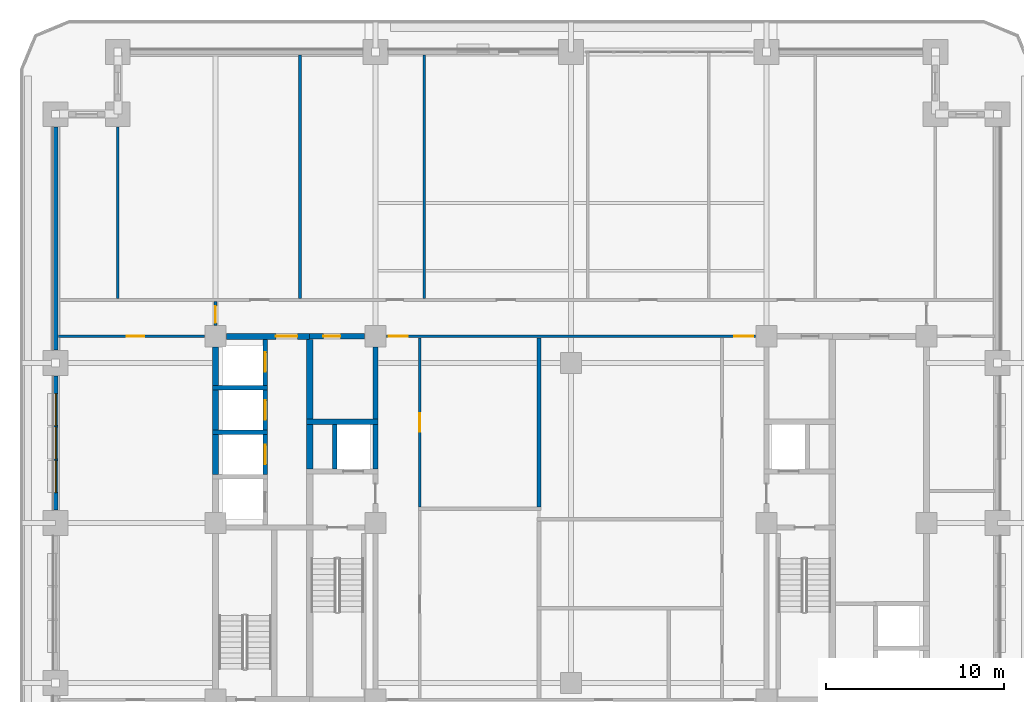
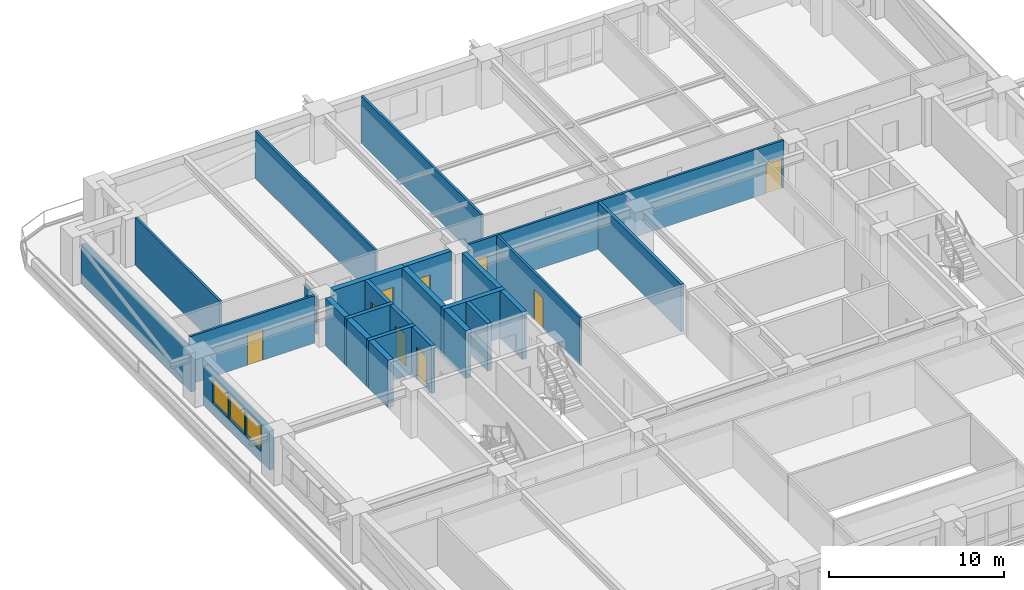
# One storey, part 10 of 20: 26 walls, 10 doors, 3 windows, 13 openings.
"""IFC4 building model written with IfcOpenShell, lengths in metres."""

from ifc_helpers import new_model, si_unit, direction, frame, frame_2d, origin, place, context, subcontext, project, spatial, rectangle, extrude, material, layer, layer_set, type_object, element, fill, save


model = new_model("IFC4")

# Units and contexts
model_context = context("Model", 3, precision=1e-05, world=origin(), true_north=direction((0.0, 1.0)))
body_context = subcontext(model_context, "Body", "Model", "MODEL_VIEW")
ifc_project = project(units=[si_unit("LENGTHUNIT", "METRE"), si_unit("AREAUNIT", "SQUARE_METRE"), si_unit("VOLUMEUNIT", "CUBIC_METRE"), si_unit("PLANEANGLEUNIT", "RADIAN"), si_unit("MASSUNIT", "GRAM", prefix="KILO")], contexts=[model_context])

# Site, building, storey
site_placement = place(None, origin())
site = spatial("IfcSite", under=ifc_project, at=site_placement, CompositionType="ELEMENT")
building_placement = place(site_placement, origin())
building = spatial("IfcBuilding", under=site, at=building_placement, Name="Zulmaris Gate Convention Tower", CompositionType="ELEMENT")
storey_placement = place(building_placement, frame((0.0, 0.0, 75.0400390625)))
storey = spatial("IfcBuildingStorey", under=building, at=storey_placement, Name="L18", CompositionType="ELEMENT", Elevation=75.0400390625)

# Walls
ifc_material_1 = material(Name="Concrete C50/60", Category="concrete")
ifc_layer_1 = layer(ifc_material_1, 0.25, Name="Concrete C50/60")
ifc_layer_set_1 = layer_set([ifc_layer_1], Name="Concrete C50/60")
wall_type_1 = type_object("IfcWallType", Name="CORE-250", PredefinedType="SOLIDWALL", material=ifc_layer_set_1)
for number, where, z_axis, x_axis, name in (
    (1, (-20.175048828125, 5.10009765625, 0.0), (0.0, 0.0, 1.0), (1.0, 0.0, 0.0), "WL-L18-012"),
    (2, (-20.175048828125, 7.60009765625, 0.0), (0.0, 0.0, 1.0), (1.0, 0.0, 0.0), "WL-L18-015"),
):
    element("IfcWall", number, at=place(storey_placement, frame(where, z_axis=z_axis, x_axis=x_axis)), inside=storey, type_object=wall_type_1, Name=name, PredefinedType="SOLIDWALL", context=body_context, shape_type="SweptSolid", body=[
        extrude(rectangle(XDim=3.10009765625, YDim=0.25, at=frame_2d((1.550048828125, 0.0))), origin(), (0.0, 0.0, 1.0), 3.31982421875),
    ])

# Wall, opening, door
wall_1_placement = place(storey_placement, frame((-17.199951171875, 2.72705078125, 0.0), z_axis=(0.0, 0.0, 1.0), x_axis=(0.0, 1.0, 0.0)))
wall_1 = element("IfcWall", 3, at=wall_1_placement, inside=storey, type_object=wall_type_1, Name="WL-L18-041", PredefinedType="SOLIDWALL", context=body_context, shape_type="SweptSolid", body=[
    extrude(rectangle(XDim=2.245849609375, YDim=0.25, at=frame_2d((1.123046875, 0.0))), origin(), (0.0, 0.0, 1.0), 3.31982421875),
])
opening_1_placement = place(wall_1_placement, frame((0.572998046875, 0.0, 0.0)))
opening_1 = element("IfcOpeningElement", 4, at=opening_1_placement, cuts=wall_1, Name="Opening D-06", PredefinedType="OPENING", context=body_context, shape_type="SweptSolid", body=[
    extrude(rectangle(XDim=1.10009765625, YDim=2.199951171875, at=frame_2d((0.550048828125, 1.10009765625))), frame((0.0, 0.135009765625, 0.0), z_axis=(0.0, -1.0, 0.0), x_axis=(1.0, 0.0, 0.0)), (0.0, 0.0, 1.0), 0.27001953125),
])
ifc_material_2 = material(Name="Brushed Stainless Steel", Category="steel")
door_type_1 = type_object("IfcDoorType", Name="LD-1100", OperationType="NOTDEFINED", PredefinedType="DOOR", material=ifc_material_2)
door_1_placement = place(opening_1_placement, origin())
door_1 = element("IfcDoor", 5, at=door_1_placement, inside=storey, type_object=door_type_1, Name="L18 Lift Landing Door LP-02 12", OperationType="SLIDING_TO_LEFT", OverallHeight=2.199951171875, OverallWidth=1.10009765625, PredefinedType="DOOR", context=body_context, shape_type="SweptSolid", body=[
    extrude(rectangle(XDim=1.10009765625, YDim=2.199951171875, at=frame_2d((0.550048828125, 1.10009765625))), frame((0.0, 0.02490234375, 0.0), z_axis=(0.0, -1.0, 0.0), x_axis=(1.0, 0.0, 0.0)), (0.0, 0.0, 1.0), 0.050048828125),
])
fill(opening_1, door_1)

wall_2_placement = place(storey_placement, frame((-17.199951171875, 5.22705078125, 0.0), z_axis=(0.0, 0.0, 1.0), x_axis=(0.0, 1.0, 0.0)))
wall_2 = element("IfcWall", 6, at=wall_2_placement, inside=storey, type_object=wall_type_1, Name="WL-L18-042", PredefinedType="SOLIDWALL", context=body_context, shape_type="SweptSolid", body=[
    extrude(rectangle(XDim=2.245849609375, YDim=0.25, at=frame_2d((1.123046875, 0.0))), origin(), (0.0, 0.0, 1.0), 3.31982421875),
])
opening_2_placement = place(wall_2_placement, frame((0.572998046875, 0.0, 0.0)))
opening_2 = element("IfcOpeningElement", 7, at=opening_2_placement, cuts=wall_2, Name="Opening D-06", PredefinedType="OPENING", context=body_context, shape_type="SweptSolid", body=[
    extrude(rectangle(XDim=1.10009765625, YDim=2.199951171875, at=frame_2d((0.550048828125, 1.10009765625))), frame((0.0, 0.135009765625, 0.0), z_axis=(0.0, -1.0, 0.0), x_axis=(1.0, 0.0, 0.0)), (0.0, 0.0, 1.0), 0.27001953125),
])
door_2_placement = place(opening_2_placement, origin())
door_2 = element("IfcDoor", 8, at=door_2_placement, inside=storey, type_object=door_type_1, Name="L18 Lift Landing Door LP-03 13", OperationType="SLIDING_TO_LEFT", OverallHeight=2.199951171875, OverallWidth=1.10009765625, PredefinedType="DOOR", context=body_context, shape_type="SweptSolid", body=[
    extrude(rectangle(XDim=1.10009765625, YDim=2.199951171875, at=frame_2d((0.550048828125, 1.10009765625))), frame((0.0, 0.02490234375, 0.0), z_axis=(0.0, -1.0, 0.0), x_axis=(1.0, 0.0, 0.0)), (0.0, 0.0, 1.0), 0.050048828125),
])
fill(opening_2, door_2)

wall_3_placement = place(storey_placement, frame((-17.199951171875, 7.72705078125, 0.0), z_axis=(0.0, 0.0, 1.0), x_axis=(0.0, 1.0, 0.0)))
wall_3 = element("IfcWall", 9, at=wall_3_placement, inside=storey, type_object=wall_type_1, Name="WL-L18-043", PredefinedType="SOLIDWALL", context=body_context, shape_type="SweptSolid", body=[
    extrude(rectangle(XDim=2.595947265625, YDim=0.25, at=frame_2d((1.2978515625, 0.0))), origin(), (0.0, 0.0, 1.0), 3.31982421875),
])
opening_3_placement = place(wall_3_placement, frame((0.77294921875, 0.0, 0.0)))
opening_3 = element("IfcOpeningElement", 10, at=opening_3_placement, cuts=wall_3, Name="Opening D-06", PredefinedType="OPENING", context=body_context, shape_type="SweptSolid", body=[
    extrude(rectangle(XDim=1.10009765625, YDim=2.199951171875, at=frame_2d((0.550048828125, 1.10009765625))), frame((0.0, 0.135009765625, 0.0), z_axis=(0.0, -1.0, 0.0), x_axis=(1.0, 0.0, 0.0)), (0.0, 0.0, 1.0), 0.27001953125),
])
door_3_placement = place(opening_3_placement, origin())
door_3 = element("IfcDoor", 11, at=door_3_placement, inside=storey, type_object=door_type_1, Name="L18 Lift Landing Door LP-04 14", OperationType="SLIDING_TO_LEFT", OverallHeight=2.199951171875, OverallWidth=1.10009765625, PredefinedType="DOOR", context=body_context, shape_type="SweptSolid", body=[
    extrude(rectangle(XDim=1.10009765625, YDim=2.199951171875, at=frame_2d((0.550048828125, 1.10009765625))), frame((0.0, 0.02490234375, 0.0), z_axis=(0.0, -1.0, 0.0), x_axis=(1.0, 0.0, 0.0)), (0.0, 0.0, 1.0), 0.050048828125),
])
fill(opening_3, door_3)

# Walls
wall_4_placement = place(storey_placement, frame((-13.300048828125, 3.052001953125, 0.0), z_axis=(0.0, 0.0, 1.0), x_axis=(0.0, 1.0, 0.0)))
element("IfcWall", 12, at=wall_4_placement, inside=storey, type_object=wall_type_1, Name="WL-L18-049", PredefinedType="SOLIDWALL", context=body_context, shape_type="SweptSolid", body=[
    extrude(rectangle(XDim=2.49609375, YDim=0.25, at=frame_2d((1.248046875, 0.0))), origin(), (0.0, 0.0, 1.0), 3.31982421875),
])
ifc_layer_2 = layer(ifc_material_1, 0.300048828125, Name="Concrete C50/60")
ifc_layer_set_2 = layer_set([ifc_layer_2], Name="Concrete C50/60")
wall_type_2 = type_object("IfcWallType", Name="CORE-300", PredefinedType="SHEAR", material=ifc_layer_set_2)
wall_5_placement = place(storey_placement, frame((-14.875, 5.699951171875, 0.0), z_axis=(0.0, 0.0, 1.0), x_axis=(1.0, 0.0, 0.0)))
element("IfcWall", 13, at=wall_5_placement, inside=storey, type_object=wall_type_2, Name="WL-L18-013", PredefinedType="SHEAR", context=body_context, shape_type="SweptSolid", body=[
    extrude(rectangle(XDim=4.02490234375, YDim=0.300048828125, at=frame_2d((2.012451171875, 0.0))), origin(), (0.0, 0.0, 1.0), 3.31982421875),
])

# Wall, opening, door
wall_6_placement = place(storey_placement, frame((-14.699951171875, 10.5, 0.0), z_axis=(0.0, 0.0, 1.0), x_axis=(1.0, 0.0, 0.0)))
wall_6 = element("IfcWall", 14, at=wall_6_placement, inside=storey, type_object=wall_type_2, Name="WL-L18-017", PredefinedType="SHEAR", context=body_context, shape_type="SweptSolid", body=[
    extrude(rectangle(XDim=3.095947265625, YDim=0.300048828125, at=frame_2d((1.5478515625, 0.0))), origin(), (0.0, 0.0, 1.0), 3.31982421875),
])
opening_4_placement = place(wall_6_placement, frame((0.77490234375, 0.0, 0.0)))
opening_4 = element("IfcOpeningElement", 15, at=opening_4_placement, cuts=wall_6, Name="Opening D-11", PredefinedType="OPENING", context=body_context, shape_type="SweptSolid", body=[
    extrude(rectangle(XDim=0.949951171875, YDim=2.14990234375, at=frame_2d((0.47509765625, 1.074951171875))), frame((0.0, 0.16015625, 0.0), z_axis=(0.0, -1.0, 0.0), x_axis=(1.0, 0.0, 0.0)), (0.0, 0.0, 1.0), 0.320068359375),
])
ifc_material_3 = material(Name="Fire-Rated Timber", Category="wood")
door_type_2 = type_object("IfcDoorType", Name="DR-950-FD", OperationType="NOTDEFINED", PredefinedType="DOOR", material=ifc_material_3)
door_4_placement = place(opening_4_placement, origin())
door_4 = element("IfcDoor", 16, at=door_4_placement, inside=storey, type_object=door_type_2, Name="L18 Core Pantry Door 07", OperationType="SINGLE_SWING_LEFT", OverallHeight=2.14990234375, OverallWidth=0.949951171875, PredefinedType="DOOR", context=body_context, shape_type="SweptSolid", body=[
    extrude(rectangle(XDim=0.949951171875, YDim=2.14990234375, at=frame_2d((0.47509765625, 1.074951171875))), frame((0.0, 0.02490234375, 0.0), z_axis=(0.0, -1.0, 0.0), x_axis=(1.0, 0.0, 0.0)), (0.0, 0.0, 1.0), 0.050048828125),
])
fill(opening_4, door_4)

# Walls
wall_7_placement = place(storey_placement, frame((-11.0, 3.052001953125, 0.0), z_axis=(0.0, 0.0, 1.0), x_axis=(0.0, 1.0, 0.0)))
element("IfcWall", 17, at=wall_7_placement, inside=storey, type_object=wall_type_2, Name="WL-L18-053", PredefinedType="SHEAR", context=body_context, shape_type="SweptSolid", body=[
    extrude(rectangle(XDim=2.49609375, YDim=0.300048828125, at=frame_2d((1.248046875, 0.0))), origin(), (0.0, 0.0, 1.0), 3.31982421875),
])
wall_8_placement = place(storey_placement, frame((-11.0, 5.85205078125, 0.0), z_axis=(0.0, 0.0, 1.0), x_axis=(0.0, 1.0, 0.0)))
element("IfcWall", 18, at=wall_8_placement, inside=storey, type_object=wall_type_2, Name="WL-L18-054", PredefinedType="SHEAR", context=body_context, shape_type="SweptSolid", body=[
    extrude(rectangle(XDim=4.0439453125, YDim=0.300048828125, at=frame_2d((2.02197265625, 0.0))), origin(), (0.0, 0.0, 1.0), 3.31982421875),
])

# Wall, opening, door
ifc_material_4 = material(Name="Concrete C55/67", Category="concrete")
ifc_layer_3 = layer(ifc_material_4, 0.35009765625, Name="Concrete C55/67")
ifc_layer_set_3 = layer_set([ifc_layer_3], Name="Concrete C55/67")
wall_type_3 = type_object("IfcWallType", Name="CORE-350", PredefinedType="SHEAR", material=ifc_layer_set_3)
wall_9_placement = place(storey_placement, frame((-19.39599609375, 10.5, 0.0), z_axis=(0.0, 0.0, 1.0), x_axis=(1.0, 0.0, 0.0)))
wall_9 = element("IfcWall", 19, at=wall_9_placement, inside=storey, type_object=wall_type_3, Name="WL-L18-016", PredefinedType="SHEAR", context=body_context, shape_type="SweptSolid", body=[
    extrude(rectangle(XDim=4.696044921875, YDim=0.35009765625, at=frame_2d((2.34814453125, 0.0))), origin(), (0.0, 0.0, 1.0), 3.31982421875),
])
opening_5_placement = place(wall_9_placement, frame((2.7958984375, 0.0, 0.0)))
opening_5 = element("IfcOpeningElement", 20, at=opening_5_placement, cuts=wall_9, Name="Opening D-13", PredefinedType="OPENING", context=body_context, shape_type="SweptSolid", body=[
    extrude(rectangle(XDim=1.199951171875, YDim=2.14990234375, at=frame_2d((0.60009765625, 1.074951171875))), frame((0.0, 0.18505859375, 0.0), z_axis=(0.0, -1.0, 0.0), x_axis=(1.0, 0.0, 0.0)), (0.0, 0.0, 1.0), 0.3701171875),
])
ifc_material_5 = material(Name="Fire-Rated Steel", Category="steel")
door_type_3 = type_object("IfcDoorType", Name="DR-1200-FD", OperationType="NOTDEFINED", PredefinedType="DOOR", material=ifc_material_5)
door_5_placement = place(opening_5_placement, origin())
door_5 = element("IfcDoor", 21, at=door_5_placement, inside=storey, type_object=door_type_3, Name="L18 Low-Rise Lift Lobby Door 10", OperationType="SINGLE_SWING_RIGHT", OverallHeight=2.14990234375, OverallWidth=1.199951171875, PredefinedType="DOOR", context=body_context, shape_type="SweptSolid", body=[
    extrude(rectangle(XDim=1.199951171875, YDim=2.14990234375, at=frame_2d((0.60009765625, 1.074951171875))), frame((0.0, 0.02490234375, 0.0), z_axis=(0.0, -1.0, 0.0), x_axis=(1.0, 0.0, 0.0)), (0.0, 0.0, 1.0), 0.050048828125),
])
fill(opening_5, door_5)

# Walls
for number, where, z_axis, x_axis, name in (
    (22, (-20.0, 2.72705078125, 0.0), (0.0, 0.0, 1.0), (0.0, 1.0, 0.0), "WL-L18-037"),
    (23, (-20.0, 5.22705078125, 0.0), (0.0, 0.0, 1.0), (0.0, 1.0, 0.0), "WL-L18-038"),
):
    element("IfcWall", number, at=place(storey_placement, frame(where, z_axis=z_axis, x_axis=x_axis)), inside=storey, type_object=wall_type_3, Name=name, PredefinedType="SHEAR", context=body_context, shape_type="SweptSolid", body=[
        extrude(rectangle(XDim=2.245849609375, YDim=0.35009765625, at=frame_2d((1.123046875, 0.0))), origin(), (0.0, 0.0, 1.0), 3.31982421875),
    ])
wall_10_placement = place(storey_placement, frame((-20.0, 7.72705078125, 0.0), z_axis=(0.0, 0.0, 1.0), x_axis=(0.0, 1.0, 0.0)))
element("IfcWall", 24, at=wall_10_placement, inside=storey, type_object=wall_type_3, Name="WL-L18-039", PredefinedType="SHEAR", context=body_context, shape_type="SweptSolid", body=[
    extrude(rectangle(XDim=2.1689453125, YDim=0.35009765625, at=frame_2d((1.08447265625, 0.0))), origin(), (0.0, 0.0, 1.0), 3.31982421875),
])
wall_11_placement = place(storey_placement, frame((-14.699951171875, 3.052001953125, 0.0), z_axis=(0.0, 0.0, 1.0), x_axis=(0.0, 1.0, 0.0)))
element("IfcWall", 25, at=wall_11_placement, inside=storey, type_object=wall_type_3, Name="WL-L18-047", PredefinedType="SHEAR", context=body_context, shape_type="SweptSolid", body=[
    extrude(rectangle(XDim=2.49609375, YDim=0.35009765625, at=frame_2d((1.248046875, 0.0))), origin(), (0.0, 0.0, 1.0), 3.31982421875),
])
wall_12_placement = place(storey_placement, frame((-14.699951171875, 5.85205078125, 0.0), z_axis=(0.0, 0.0, 1.0), x_axis=(0.0, 1.0, 0.0)))
element("IfcWall", 26, at=wall_12_placement, inside=storey, type_object=wall_type_3, Name="WL-L18-048", PredefinedType="SHEAR", context=body_context, shape_type="SweptSolid", body=[
    extrude(rectangle(XDim=4.470947265625, YDim=0.35009765625, at=frame_2d((2.2353515625, 0.0))), origin(), (0.0, 0.0, 1.0), 3.31982421875),
])

# Wall, opening, door
ifc_material_6 = material(Name="Gypsum Metal Stud Partition")
ifc_layer_4 = layer(ifc_material_6, 0.14990234375, Name="Gypsum Metal Stud Partition")
ifc_layer_set_4 = layer_set([ifc_layer_4], Name="Gypsum Metal Stud Partition")
wall_type_4 = type_object("IfcWallType", Name="PART-150", PredefinedType="PARTITIONING", material=ifc_layer_set_4)
wall_13_placement = place(storey_placement, frame((-28.8349609375, 10.5, 0.0), z_axis=(0.0, 0.0, 1.0), x_axis=(1.0, 0.0, 0.0)))
wall_13 = element("IfcWall", 27, at=wall_13_placement, inside=storey, type_object=wall_type_4, Name="WL-L18-031", PredefinedType="PARTITIONING", context=body_context, shape_type="SweptSolid", body=[
    extrude(rectangle(XDim=8.22900390625, YDim=0.14990234375, at=frame_2d((4.114501953125, 0.0))), origin(), (0.0, 0.0, 1.0), 3.31982421875),
])
opening_6_placement = place(wall_13_placement, frame((3.8349609375, 0.0, 0.0)))
opening_6 = element("IfcOpeningElement", 28, at=opening_6_placement, cuts=wall_13, Name="Opening D-10", PredefinedType="OPENING", context=body_context, shape_type="SweptSolid", body=[
    extrude(rectangle(XDim=1.0, YDim=2.14990234375, at=frame_2d((0.5, 1.074951171875))), frame((0.0, 0.0849609375, 0.0), z_axis=(0.0, -1.0, 0.0), x_axis=(1.0, 0.0, 0.0)), (0.0, 0.0, 1.0), 0.169921875),
])
door_type_4 = type_object("IfcDoorType", Name="DR-1000-FD", OperationType="NOTDEFINED", PredefinedType="DOOR", material=ifc_material_3)
door_6_placement = place(opening_6_placement, origin())
door_6 = element("IfcDoor", 29, at=door_6_placement, inside=storey, type_object=door_type_4, Name="L18 West Workplace North Door 40", OperationType="SINGLE_SWING_RIGHT", OverallHeight=2.14990234375, OverallWidth=1.0, PredefinedType="DOOR", context=body_context, shape_type="SweptSolid", body=[
    extrude(rectangle(XDim=1.0, YDim=2.14990234375, at=frame_2d((0.5, 1.074951171875))), frame((0.0, 0.02490234375, 0.0), z_axis=(0.0, -1.0, 0.0), x_axis=(1.0, 0.0, 0.0)), (0.0, 0.0, 1.0), 0.050048828125),
])
fill(opening_6, door_6)

# Wall, openings, doors
wall_14_placement = place(storey_placement, frame((-10.39404296875, 10.5, 0.0), z_axis=(0.0, 0.0, 1.0), x_axis=(1.0, 0.0, 0.0)))
wall_14 = element("IfcWall", 30, at=wall_14_placement, inside=storey, type_object=wall_type_4, Name="WL-L18-032", PredefinedType="PARTITIONING", context=body_context, shape_type="SweptSolid", body=[
    extrude(rectangle(XDim=20.7880859375, YDim=0.14990234375, at=frame_2d((10.39404296875, 0.0))), origin(), (0.0, 0.0, 1.0), 3.31982421875),
])
opening_7_placement = place(wall_14_placement, frame((0.14990234375, 0.0, 0.0)))
opening_7 = element("IfcOpeningElement", 31, at=opening_7_placement, cuts=wall_14, Name="Opening D-09", PredefinedType="OPENING", context=body_context, shape_type="SweptSolid", body=[
    extrude(rectangle(XDim=1.050048828125, YDim=2.14990234375, at=frame_2d((0.52490234375, 1.074951171875))), frame((0.0, 0.0849609375, 0.0), z_axis=(0.0, -1.0, 0.0), x_axis=(1.0, 0.0, 0.0)), (0.0, 0.0, 1.0), 0.169921875),
])
opening_8_placement = place(wall_14_placement, frame((19.587890625, 0.0, 0.0)))
opening_8 = element("IfcOpeningElement", 32, at=opening_8_placement, cuts=wall_14, Name="Opening D-09", PredefinedType="OPENING", context=body_context, shape_type="SweptSolid", body=[
    extrude(rectangle(XDim=1.050048828125, YDim=2.14990234375, at=frame_2d((0.52490234375, 1.074951171875))), frame((0.0, 0.0849609375, 0.0), z_axis=(0.0, -1.0, 0.0), x_axis=(1.0, 0.0, 0.0)), (0.0, 0.0, 1.0), 0.169921875),
])
door_type_5 = type_object("IfcDoorType", Name="DR-1050-FD", OperationType="NOTDEFINED", PredefinedType="DOOR", material=ifc_material_5)
door_7_placement = place(opening_7_placement, origin())
door_7 = element("IfcDoor", 33, at=door_7_placement, inside=storey, type_object=door_type_5, Name="L18 NW Spine Link Door 17", OperationType="SINGLE_SWING_LEFT", OverallHeight=2.14990234375, OverallWidth=1.050048828125, PredefinedType="DOOR", context=body_context, shape_type="SweptSolid", body=[
    extrude(rectangle(XDim=1.050048828125, YDim=2.14990234375, at=frame_2d((0.52490234375, 1.074951171875))), frame((0.0, 0.02490234375, 0.0), z_axis=(0.0, -1.0, 0.0), x_axis=(1.0, 0.0, 0.0)), (0.0, 0.0, 1.0), 0.050048828125),
])
fill(opening_7, door_7)
door_8_placement = place(opening_8_placement, origin())
door_8 = element("IfcDoor", 34, at=door_8_placement, inside=storey, type_object=door_type_5, Name="L18 NE Spine Link Door 19", OperationType="SINGLE_SWING_LEFT", OverallHeight=2.14990234375, OverallWidth=1.050048828125, PredefinedType="DOOR", context=body_context, shape_type="SweptSolid", body=[
    extrude(rectangle(XDim=1.050048828125, YDim=2.14990234375, at=frame_2d((0.52490234375, 1.074951171875))), frame((0.0, 0.02490234375, 0.0), z_axis=(0.0, -1.0, 0.0), x_axis=(1.0, 0.0, 0.0)), (0.0, 0.0, 1.0), 0.050048828125),
])
fill(opening_8, door_8)

# Wall
wall_15_placement = place(storey_placement, frame((-25.5, 12.6279296875, 0.0), z_axis=(0.0, 0.0, 1.0), x_axis=(0.0, 1.0, 0.0)))
element("IfcWall", 35, at=wall_15_placement, inside=storey, type_object=wall_type_4, Name="WL-L18-071", PredefinedType="PARTITIONING", context=body_context, shape_type="SweptSolid", body=[
    extrude(rectangle(XDim=9.666015625, YDim=0.14990234375, at=frame_2d((4.8330078125, 0.0))), origin(), (0.0, 0.0, 1.0), 3.31982421875),
])

# Wall, opening, door
wall_16_placement = place(storey_placement, frame((-20.0, 11.10595703125, 0.0), z_axis=(0.0, 0.0, 1.0), x_axis=(0.0, 1.0, 0.0)))
wall_16 = element("IfcWall", 36, at=wall_16_placement, inside=storey, type_object=wall_type_4, Name="WL-L18-073", PredefinedType="PARTITIONING", context=body_context, shape_type="SweptSolid", body=[
    extrude(rectangle(XDim=1.365966796875, YDim=0.14990234375, at=frame_2d((0.68310546875, 0.0))), origin(), (0.0, 0.0, 1.0), 2.659912109375),
])
opening_9_placement = place(wall_16_placement, frame((0.14990234375, 0.0, 0.0)))
opening_9 = element("IfcOpeningElement", 37, at=opening_9_placement, cuts=wall_16, Name="Opening D-11", PredefinedType="OPENING", context=body_context, shape_type="SweptSolid", body=[
    extrude(rectangle(XDim=0.949951171875, YDim=2.14990234375, at=frame_2d((0.47509765625, 1.074951171875))), frame((0.0, 0.0849609375, 0.0), z_axis=(0.0, -1.0, 0.0), x_axis=(1.0, 0.0, 0.0)), (0.0, 0.0, 1.0), 0.169921875),
])
door_9_placement = place(opening_9_placement, origin())
door_9 = element("IfcDoor", 38, at=door_9_placement, inside=storey, type_object=door_type_2, Name="L18 NW Spur Door 38", OperationType="SINGLE_SWING_RIGHT", OverallHeight=2.14990234375, OverallWidth=0.949951171875, PredefinedType="DOOR", context=body_context, shape_type="SweptSolid", body=[
    extrude(rectangle(XDim=0.949951171875, YDim=2.14990234375, at=frame_2d((0.47509765625, 1.074951171875))), frame((0.0, 0.02490234375, 0.0), z_axis=(0.0, -1.0, 0.0), x_axis=(1.0, 0.0, 0.0)), (0.0, 0.0, 1.0), 0.050048828125),
])
fill(opening_9, door_9)

# Wall
wall_17_placement = place(storey_placement, frame((-15.25, 12.6279296875, 0.0), z_axis=(0.0, 0.0, 1.0), x_axis=(0.0, 1.0, 0.0)))
element("IfcWall", 39, at=wall_17_placement, inside=storey, type_object=wall_type_4, Name="WL-L18-074", PredefinedType="PARTITIONING", context=body_context, shape_type="SweptSolid", body=[
    extrude(rectangle(XDim=13.70703125, YDim=0.14990234375, at=frame_2d((6.853515625, 0.0))), origin(), (0.0, 0.0, 1.0), 3.31982421875),
])

# Wall, opening, door
wall_18_placement = place(storey_placement, frame((-8.5, 0.903076171875, 0.0), z_axis=(0.0, 0.0, 1.0), x_axis=(0.0, 1.0, 0.0)))
wall_18 = element("IfcWall", 40, at=wall_18_placement, inside=storey, type_object=wall_type_4, Name="WL-L18-076", PredefinedType="PARTITIONING", context=body_context, shape_type="SweptSolid", body=[
    extrude(rectangle(XDim=9.51904296875, YDim=0.14990234375, at=frame_2d((4.759521484375, 0.0))), origin(), (0.0, 0.0, 1.0), 3.31982421875),
])
opening_10_placement = place(wall_18_placement, frame((4.221923828125, 0.0, 0.0)))
opening_10 = element("IfcOpeningElement", 41, at=opening_10_placement, cuts=wall_18, Name="Opening D-09", PredefinedType="OPENING", context=body_context, shape_type="SweptSolid", body=[
    extrude(rectangle(XDim=1.050048828125, YDim=2.14990234375, at=frame_2d((0.52490234375, 1.074951171875))), frame((0.0, 0.0849609375, 0.0), z_axis=(0.0, -1.0, 0.0), x_axis=(1.0, 0.0, 0.0)), (0.0, 0.0, 1.0), 0.169921875),
])
door_10_placement = place(opening_10_placement, origin())
door_10 = element("IfcDoor", 42, at=door_10_placement, inside=storey, type_object=door_type_5, Name="L18 Boardroom Door 32", OperationType="SINGLE_SWING_RIGHT", OverallHeight=2.14990234375, OverallWidth=1.050048828125, PredefinedType="DOOR", context=body_context, shape_type="SweptSolid", body=[
    extrude(rectangle(XDim=1.050048828125, YDim=2.14990234375, at=frame_2d((0.52490234375, 1.074951171875))), frame((0.0, 0.02490234375, 0.0), z_axis=(0.0, -1.0, 0.0), x_axis=(1.0, 0.0, 0.0)), (0.0, 0.0, 1.0), 0.050048828125),
])
fill(opening_10, door_10)

# Walls
wall_19_placement = place(storey_placement, frame((-8.25, 12.6279296875, 0.0), z_axis=(0.0, 0.0, 1.0), x_axis=(0.0, 1.0, 0.0)))
element("IfcWall", 43, at=wall_19_placement, inside=storey, type_object=wall_type_4, Name="WL-L18-077", PredefinedType="PARTITIONING", context=body_context, shape_type="SweptSolid", body=[
    extrude(rectangle(XDim=13.70703125, YDim=0.14990234375, at=frame_2d((6.853515625, 0.0))), origin(), (0.0, 0.0, 1.0), 3.31982421875),
])
ifc_material_7 = material(Name="Autoclaved Aerated Concrete Block and Plasterboard", Category="concrete")
ifc_layer_5 = layer(ifc_material_7, 0.199951171875, Name="Autoclaved Aerated Concrete Block and Plasterboard")
ifc_layer_set_5 = layer_set([ifc_layer_5], Name="Autoclaved Aerated Concrete Block and Plasterboard")
wall_type_5 = type_object("IfcWallType", Name="PART-200", PredefinedType="PARTITIONING", material=ifc_layer_set_5)
wall_20_placement = place(storey_placement, frame((-1.800048828125, 0.903076171875, 0.0), z_axis=(0.0, 0.0, 1.0), x_axis=(0.0, 1.0, 0.0)))
element("IfcWall", 44, at=wall_20_placement, inside=storey, type_object=wall_type_5, Name="WL-L18-084", PredefinedType="PARTITIONING", context=body_context, shape_type="SweptSolid", body=[
    extrude(rectangle(XDim=9.51904296875, YDim=0.199951171875, at=frame_2d((4.759521484375, 0.0))), origin(), (0.0, 0.0, 1.0), 3.31982421875),
])

# Wall, openings, windows
ifc_material_8 = material(Name="Precast concrete C40/50", Category="concrete")
ifc_layer_6 = layer(ifc_material_8, 0.300048828125, Name="Precast concrete C40/50")
ifc_layer_set_6 = layer_set([ifc_layer_6], Name="Precast concrete C40/50")
wall_type_6 = type_object("IfcWallType", Name="PRECAST-PIER-300", PredefinedType="STANDARD", material=ifc_layer_set_6)
wall_21_placement = place(storey_placement, frame((-29.0, 8.27001953125, 0.0), z_axis=(0.0, 0.0, 1.0), x_axis=(0.0, -1.0, 0.0)))
wall_21 = element("IfcWall", 45, at=wall_21_placement, inside=storey, type_object=wall_type_6, Name="EW-L18-W-2_0", PredefinedType="STANDARD", context=body_context, shape_type="SweptSolid", body=[
    extrude(rectangle(XDim=7.5400390625, YDim=0.300048828125, at=frame_2d((3.77001953125, 0.0))), origin(), (0.0, 0.0, 1.0), 2.7119140625),
])
opening_11_placement = place(wall_21_placement, frame((0.985107421875, 0.0, 0.780029296875)))
opening_11 = element("IfcOpeningElement", 46, at=opening_11_placement, cuts=wall_21, Name="Opening W-02", PredefinedType="OPENING", context=body_context, shape_type="SweptSolid", body=[
    extrude(rectangle(XDim=1.800048828125, YDim=1.719970703125, at=frame_2d((0.89990234375, 0.85986328125))), frame((0.0, 0.16015625, 0.0), z_axis=(0.0, -1.0, 0.0), x_axis=(1.0, 0.0, 0.0)), (0.0, 0.0, 1.0), 0.320068359375),
])
opening_12_placement = place(wall_21_placement, frame((2.8701171875, 0.0, 0.780029296875)))
opening_12 = element("IfcOpeningElement", 47, at=opening_12_placement, cuts=wall_21, Name="Opening W-02", PredefinedType="OPENING", context=body_context, shape_type="SweptSolid", body=[
    extrude(rectangle(XDim=1.800048828125, YDim=1.719970703125, at=frame_2d((0.89990234375, 0.85986328125))), frame((0.0, 0.16015625, 0.0), z_axis=(0.0, -1.0, 0.0), x_axis=(1.0, 0.0, 0.0)), (0.0, 0.0, 1.0), 0.320068359375),
])
opening_13_placement = place(wall_21_placement, frame((4.7548828125, 0.0, 0.780029296875)))
opening_13 = element("IfcOpeningElement", 48, at=opening_13_placement, cuts=wall_21, Name="Opening W-02", PredefinedType="OPENING", context=body_context, shape_type="SweptSolid", body=[
    extrude(rectangle(XDim=1.800048828125, YDim=1.719970703125, at=frame_2d((0.89990234375, 0.85986328125))), frame((0.0, 0.16015625, 0.0), z_axis=(0.0, -1.0, 0.0), x_axis=(1.0, 0.0, 0.0)), (0.0, 0.0, 1.0), 0.320068359375),
])
ifc_material_9 = material(Name="Low-E Laminated Double Glazing in Aluminium Frame", Category="aluminium")
window_type = type_object("IfcWindowType", Name="WIN-1800x2200", PartitioningType="SINGLE_PANEL", PredefinedType="WINDOW", material=ifc_material_9)
window_1_placement = place(opening_11_placement, origin())
window_1 = element("IfcWindow", 49, at=window_1_placement, inside=storey, type_object=window_type, Name="WN-EW-L18-W-2_0-1", OverallHeight=1.719970703125, OverallWidth=1.800048828125, PartitioningType="SINGLE_PANEL", PredefinedType="WINDOW", context=body_context, shape_type="SweptSolid", body=[
    extrude(rectangle(XDim=1.800048828125, YDim=1.719970703125, at=frame_2d((0.89990234375, 0.85986328125))), frame((0.0, 0.030029296875, 0.0), z_axis=(0.0, -1.0, 0.0), x_axis=(1.0, 0.0, 0.0)), (0.0, 0.0, 1.0), 0.06005859375),
])
fill(opening_11, window_1)
window_2_placement = place(opening_12_placement, origin())
window_2 = element("IfcWindow", 50, at=window_2_placement, inside=storey, type_object=window_type, Name="WN-EW-L18-W-2_0-2", OverallHeight=1.719970703125, OverallWidth=1.800048828125, PartitioningType="SINGLE_PANEL", PredefinedType="WINDOW", context=body_context, shape_type="SweptSolid", body=[
    extrude(rectangle(XDim=1.800048828125, YDim=1.719970703125, at=frame_2d((0.89990234375, 0.85986328125))), frame((0.0, 0.030029296875, 0.0), z_axis=(0.0, -1.0, 0.0), x_axis=(1.0, 0.0, 0.0)), (0.0, 0.0, 1.0), 0.06005859375),
])
fill(opening_12, window_2)
window_3_placement = place(opening_13_placement, origin())
window_3 = element("IfcWindow", 51, at=window_3_placement, inside=storey, type_object=window_type, Name="WN-EW-L18-W-2_0-3", OverallHeight=1.719970703125, OverallWidth=1.800048828125, PartitioningType="SINGLE_PANEL", PredefinedType="WINDOW", context=body_context, shape_type="SweptSolid", body=[
    extrude(rectangle(XDim=1.800048828125, YDim=1.719970703125, at=frame_2d((0.89990234375, 0.85986328125))), frame((0.0, 0.030029296875, 0.0), z_axis=(0.0, -1.0, 0.0), x_axis=(1.0, 0.0, 0.0)), (0.0, 0.0, 1.0), 0.06005859375),
])
fill(opening_13, window_3)

# Wall
wall_22_placement = place(storey_placement, frame((-29.0, 22.27001953125, 0.0), z_axis=(0.0, 0.0, 1.0), x_axis=(0.0, -1.0, 0.0)))
element("IfcWall", 52, at=wall_22_placement, inside=storey, type_object=wall_type_6, Name="EW-L18-W-3_0", PredefinedType="STANDARD", context=body_context, shape_type="SweptSolid", body=[
    extrude(rectangle(XDim=12.5400390625, YDim=0.300048828125, at=frame_2d((6.27001953125, 0.0))), origin(), (0.0, 0.0, 1.0), 2.7119140625),
])

save(model, "model.ifc")
